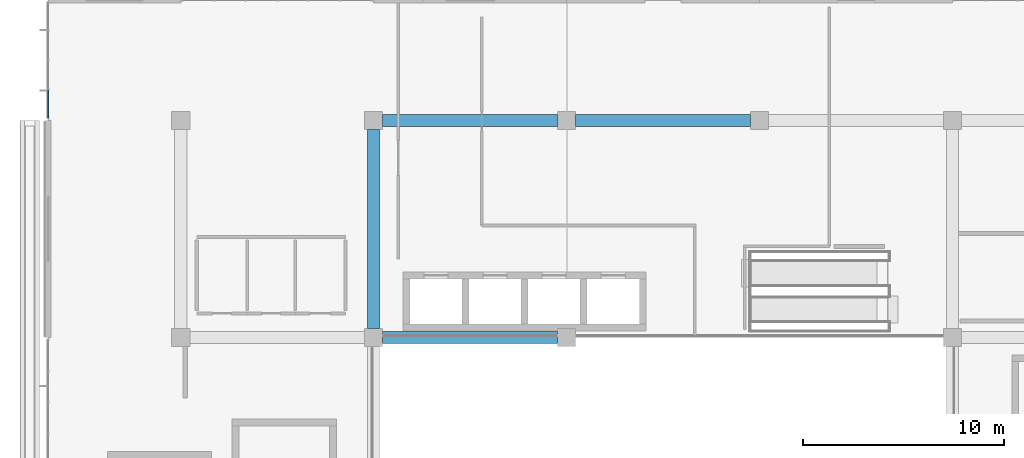
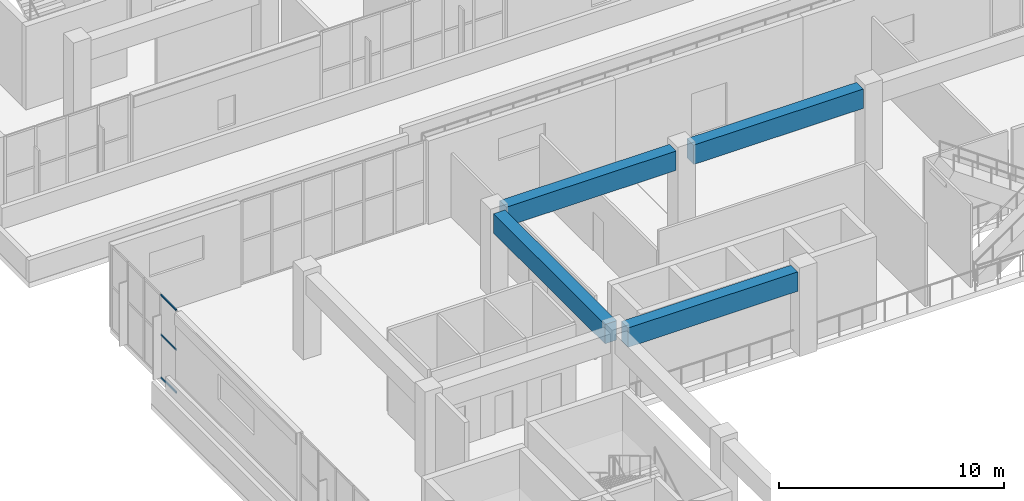
# One storey, part 10 of 96: 4 beams, 3 members, 1 element without a shape of its own.
"""IFC4 building model written with IfcOpenShell, lengths in metres."""

from ifc_helpers import new_model, si_unit, direction, frame, origin, origin_2d, place, context, subcontext, project, spatial, rectangle, extrude, material, layer, layer_set, material_profile, profile_set, type_object, element, aggregate, save


model = new_model("IFC4")

# Units and contexts
model_context = context("Model", 3, precision=1e-05, world=origin(), true_north=direction((0.0, 1.0)))
body_context = subcontext(model_context, "Body", "Model", "MODEL_VIEW")
ifc_project = project(units=[si_unit("LENGTHUNIT", "METRE"), si_unit("AREAUNIT", "SQUARE_METRE"), si_unit("VOLUMEUNIT", "CUBIC_METRE"), si_unit("PLANEANGLEUNIT", "RADIAN"), si_unit("MASSUNIT", "GRAM", prefix="KILO")], contexts=[model_context])

# Site, building, storey
site_placement = place(None, origin())
site = spatial("IfcSite", under=ifc_project, at=site_placement, CompositionType="ELEMENT")
building_placement = place(site_placement, origin())
building = spatial("IfcBuilding", under=site, at=building_placement, Name="Cendralis Terraced Arcade", CompositionType="ELEMENT")
storey_placement = place(building_placement, frame((0.0, 0.0, 10.199951171875)))
storey = spatial("IfcBuildingStorey", under=building, at=storey_placement, Name="L02", CompositionType="ELEMENT", Elevation=10.199951171875)

# Beams
ifc_material_1 = material(Name="Concrete f'c 35 MPa", Category="concrete")
ifc_material_profile_1 = material_profile(ifc_material_1, rectangle(XDim=0.60009765625, YDim=1.050048828125, at=origin_2d()), Name="RC-BM-600x1050", Category="LoadBearing")
ifc_profile_set_1 = profile_set([ifc_material_profile_1], Name="Concrete f'c 35 MPa")
beam_type = type_object("IfcBeamType", Name="BM-600x1050", PredefinedType="JOIST", material=ifc_profile_set_1)
for number, where, z_axis, x_axis, name in (
    (1, (19.64990234375, 38.39990234375, 3.989990234375), (1.0, 0.0, 0.0), (0.0, 1.0, 0.0), "Reinforced Concrete Frame Beam BM-X-L03-E-3_4"),
    (2, (19.64990234375, 49.199951171875, 3.989990234375), (1.0, 0.0, 0.0), (0.0, 1.0, 0.0), "Reinforced Concrete Frame Beam BM-X-L03-F-3_4"),
):
    element("IfcBeam", number, at=place(storey_placement, frame(where, z_axis=z_axis, x_axis=x_axis)), inside=storey, type_object=beam_type, Name=name, PredefinedType="JOIST", context=body_context, shape_type="SweptSolid", body=[
        extrude(rectangle(XDim=0.60009765625, YDim=1.050048828125, at=origin_2d()), origin(), (0.0, 0.0, 1.0), 8.7001953125),
    ])
beam_1_placement = place(storey_placement, frame((29.25, 49.199951171875, 3.989990234375), z_axis=(1.0, 0.0, 0.0), x_axis=(0.0, 1.0, 0.0)))
element("IfcBeam", 3, at=beam_1_placement, inside=storey, type_object=beam_type, Name="Reinforced Concrete Frame Beam BM-X-L03-F-4_5", PredefinedType="JOIST", context=body_context, shape_type="SweptSolid", body=[
    extrude(rectangle(XDim=0.60009765625, YDim=1.050048828125, at=origin_2d()), origin(), (0.0, 0.0, 1.0), 8.699951171875),
])
beam_2_placement = place(storey_placement, frame((19.199951171875, 38.85009765625, 3.989990234375), z_axis=(0.0, 1.0, 0.0), x_axis=(-1.0, 0.0, 0.0)))
element("IfcBeam", 4, at=beam_2_placement, inside=storey, type_object=beam_type, Name="Reinforced Concrete Frame Beam BM-Y-L03-3-E_F", PredefinedType="JOIST", context=body_context, shape_type="SweptSolid", body=[
    extrude(rectangle(XDim=0.60009765625, YDim=1.050048828125, at=origin_2d()), origin(), (0.0, 0.0, 1.0), 9.89990234375),
])

# Curtain wall, members
ifc_material_2 = material(Name="Anodised aluminium EN AW-6063 T6", Category="aluminium")
ifc_layer = layer(ifc_material_2, 0.1201171875, Name="CW-STORE-B")
ifc_layer_set = layer_set([ifc_layer], Name="Anodised aluminium EN AW-6063 T6")
curtain_wall_type = type_object("IfcCurtainWallType", Name="CW-STORE-B", PredefinedType="USERDEFINED", material=ifc_layer_set)
curtain_wall_placement = place(storey_placement, origin())
curtain_wall = element("IfcCurtainWall", 5, at=curtain_wall_placement, inside=storey, type_object=curtain_wall_type, Name="Exterior Storefront Glazing CW-L02-0222", ObjectType="STOREFRONT GLAZING", PredefinedType="USERDEFINED")
ifc_material_profile_2 = material_profile(ifc_material_2, rectangle(XDim=0.054931640625, YDim=0.10009765625, at=origin_2d()), Name="ALU-TRN-55x100")
ifc_profile_set_2 = profile_set([ifc_material_profile_2], Name="Anodised aluminium EN AW-6063 T6")
member_type = type_object("IfcMemberType", Name="CW-STORE-B-TRN", PredefinedType="USERDEFINED", material=ifc_profile_set_2)
member_1_placement = place(storey_placement, frame((3.0, 49.344970703125, 0.027587890625), z_axis=(0.0, 1.0, 0.0), x_axis=(-1.0, 0.0, 0.0)))
member_1 = element("IfcMember", 6, at=member_1_placement, type_object=member_type, Name="CW-S2 transom 1.1", ObjectType="TRANSOM", PredefinedType="USERDEFINED", context=body_context, shape_type="SweptSolid", body=[
    extrude(rectangle(XDim=0.054931640625, YDim=0.10009765625, at=origin_2d()), origin(), (0.0, 0.0, 1.0), 1.37255859375),
])
member_2_placement = place(storey_placement, frame((3.0, 49.344970703125, 2.347900390625), z_axis=(0.0, 1.0, 0.0), x_axis=(-1.0, 0.0, 0.0)))
member_2 = element("IfcMember", 7, at=member_2_placement, type_object=member_type, Name="CW-S2 transom 1.2", ObjectType="TRANSOM", PredefinedType="USERDEFINED", context=body_context, shape_type="SweptSolid", body=[
    extrude(rectangle(XDim=0.054931640625, YDim=0.10009765625, at=origin_2d()), origin(), (0.0, 0.0, 1.0), 1.37255859375),
])
member_3_placement = place(storey_placement, frame((3.0, 49.344970703125, 4.487548828125), z_axis=(0.0, 1.0, 0.0), x_axis=(-1.0, 0.0, 0.0)))
member_3 = element("IfcMember", 8, at=member_3_placement, type_object=member_type, Name="CW-S2 transom 1.3", ObjectType="TRANSOM", PredefinedType="USERDEFINED", context=body_context, shape_type="SweptSolid", body=[
    extrude(rectangle(XDim=0.054931640625, YDim=0.10009765625, at=origin_2d()), origin(), (0.0, 0.0, 1.0), 1.37255859375),
])
aggregate(curtain_wall, [member_1, member_2, member_3])

save(model, "model.ifc")
